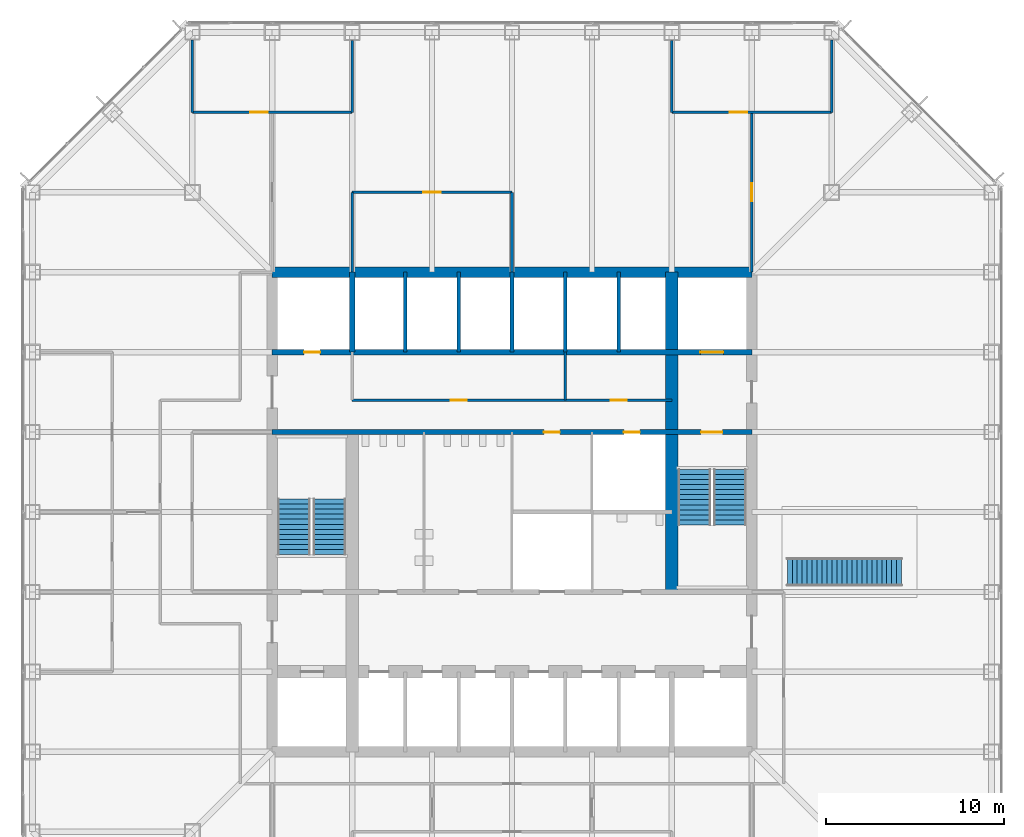
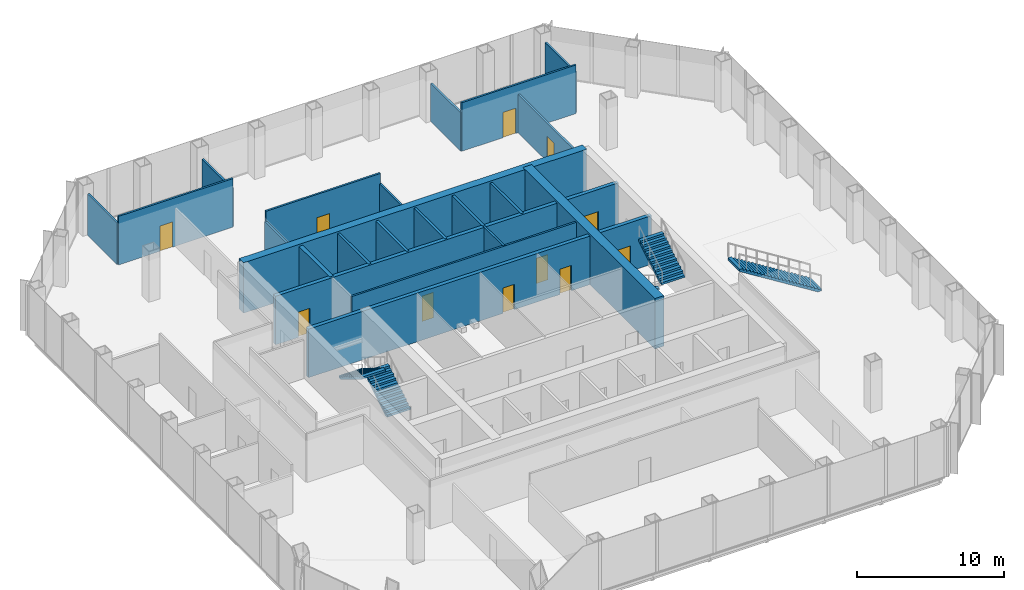
# One storey, part 10 of 12: 22 walls, 11 doors, 5 stair flights, 11 openings, 3 elements without a shape of their own.
"""IFC4 building model written with IfcOpenShell, lengths in metres."""

from ifc_helpers import new_model, si_unit, direction, frame, frame_2d, origin, place, context, subcontext, project, spatial, polyline, rectangle, outline, extrude, material, layer, layer_set, type_object, element, fill, aggregate, save


model = new_model("IFC4")

# Units and contexts
model_context = context("Model", 3, precision=1e-05, world=origin(), true_north=direction((0.0, 1.0)))
body_context = subcontext(model_context, "Body", "Model", "MODEL_VIEW")
ifc_project = project(units=[si_unit("LENGTHUNIT", "METRE"), si_unit("AREAUNIT", "SQUARE_METRE"), si_unit("VOLUMEUNIT", "CUBIC_METRE"), si_unit("PLANEANGLEUNIT", "RADIAN"), si_unit("MASSUNIT", "GRAM", prefix="KILO")], contexts=[model_context])

# Site, building, storey
site_placement = place(None, origin())
site = spatial("IfcSite", under=ifc_project, at=site_placement, CompositionType="ELEMENT")
building_placement = place(site_placement, origin())
building = spatial("IfcBuilding", under=site, at=building_placement, Name="Corais Broadcast Tower", CompositionType="ELEMENT")
storey_placement = place(building_placement, frame((0.0, 0.0, 29.0)))
storey = spatial("IfcBuildingStorey", under=building, at=storey_placement, Name="L05", CompositionType="ELEMENT", Elevation=29.0)

# Wall
ifc_material_1 = material(Name="Concrete blockwork class A, grouted, two-hour", Category="masonry")
ifc_layer_1 = layer(ifc_material_1, 0.300048828125)
ifc_layer_set_1 = layer_set([ifc_layer_1], Name="Concrete blockwork class A, grouted, two-hour")
wall_type_1 = type_object("IfcWallType", Name="Core lobby wall 300", PredefinedType="SOLIDWALL", material=ifc_layer_set_1)
wall_1_placement = place(storey_placement, frame((18.0, 36.0, 0.0), z_axis=(0.0, 0.0, 1.0), x_axis=(0.0, 1.0, 0.0)))
element("IfcWall", 1, at=wall_1_placement, inside=storey, type_object=wall_type_1, Name="CL1 core shaft wall X18B L05", PredefinedType="SOLIDWALL", context=body_context, shape_type="SweptSolid", body=[
    extrude(rectangle(XDim=4.5, YDim=0.300048828125, at=frame_2d((2.25, 0.0))), origin(), (0.0, 0.0, 1.0), 4.0400390625),
])

# Wall, openings, doors
wall_2_placement = place(storey_placement, frame((13.5, 31.5, 0.0), z_axis=(0.0, 0.0, 1.0), x_axis=(1.0, 0.0, 0.0)))
wall_2 = element("IfcWall", 2, at=wall_2_placement, inside=storey, type_object=wall_type_1, Name="CL1 core lobby wall Y315 L05", PredefinedType="SOLIDWALL", context=body_context, shape_type="SweptSolid", body=[
    extrude(rectangle(XDim=27.0, YDim=0.300048828125, at=frame_2d((13.5, 0.0))), origin(), (0.0, 0.0, 1.0), 4.0400390625),
])
opening_1_placement = place(wall_2_placement, frame((24.14990234375, 0.0, 0.0)))
opening_1 = element("IfcOpeningElement", 3, at=opening_1_placement, cuts=wall_2, Name="Opening FD1", PredefinedType="OPENING", context=body_context, shape_type="SweptSolid", body=[
    extrude(rectangle(XDim=1.199951171875, YDim=2.10009765625, at=frame_2d((0.60009765625, 1.050048828125))), frame((0.0, 0.159912109375, 0.0), z_axis=(0.0, -1.0, 0.0), x_axis=(1.0, 0.0, 0.0)), (0.0, 0.0, 1.0), 0.320068359375),
])
opening_2_placement = place(wall_2_placement, frame((15.300048828125, 0.0, 0.0)))
opening_2 = element("IfcOpeningElement", 4, at=opening_2_placement, cuts=wall_2, Name="Opening RD1", PredefinedType="OPENING", context=body_context, shape_type="SweptSolid", body=[
    extrude(rectangle(XDim=0.89990234375, YDim=2.10009765625, at=frame_2d((0.449951171875, 1.050048828125))), frame((0.0, 0.159912109375, 0.0), z_axis=(0.0, -1.0, 0.0), x_axis=(1.0, 0.0, 0.0)), (0.0, 0.0, 1.0), 0.320068359375),
])
opening_3_placement = place(wall_2_placement, frame((19.800048828125, 0.0, 0.0)))
opening_3 = element("IfcOpeningElement", 5, at=opening_3_placement, cuts=wall_2, Name="Opening RD1", PredefinedType="OPENING", context=body_context, shape_type="SweptSolid", body=[
    extrude(rectangle(XDim=0.89990234375, YDim=2.10009765625, at=frame_2d((0.449951171875, 1.050048828125))), frame((0.0, 0.159912109375, 0.0), z_axis=(0.0, -1.0, 0.0), x_axis=(1.0, 0.0, 0.0)), (0.0, 0.0, 1.0), 0.320068359375),
])
ifc_material_2 = material(Name="Steel fire door", Category="steel")
door_type_1 = type_object("IfcDoorType", Name="Fire door 1200x2100", OperationType="SINGLE_SWING_LEFT", PredefinedType="DOOR", material=ifc_material_2)
door_1_placement = place(opening_1_placement, origin())
door_1 = element("IfcDoor", 6, at=door_1_placement, inside=storey, type_object=door_type_1, Name="FD1 stair B door L05", OperationType="SINGLE_SWING_RIGHT", OverallHeight=2.10009765625, OverallWidth=1.199951171875, PredefinedType="DOOR", context=body_context, shape_type="SweptSolid", body=[
    extrude(rectangle(XDim=1.199951171875, YDim=2.10009765625, at=frame_2d((0.60009765625, 1.050048828125))), frame((0.0, 0.02490234375, 0.0), z_axis=(0.0, -1.0, 0.0), x_axis=(1.0, 0.0, 0.0)), (0.0, 0.0, 1.0), 0.050048828125),
])
fill(opening_1, door_1)
ifc_material_3 = material(Name="Steel fire door", Category="steel")
door_type_2 = type_object("IfcDoorType", Name="Riser door 900x2100", OperationType="SINGLE_SWING_LEFT", PredefinedType="DOOR", material=ifc_material_3)
door_2_placement = place(opening_2_placement, origin())
door_2 = element("IfcDoor", 7, at=door_2_placement, inside=storey, type_object=door_type_2, Name="RD1 cleaner's store door L05", OperationType="SINGLE_SWING_RIGHT", OverallHeight=2.10009765625, OverallWidth=0.89990234375, PredefinedType="DOOR", context=body_context, shape_type="SweptSolid", body=[
    extrude(rectangle(XDim=0.89990234375, YDim=2.10009765625, at=frame_2d((0.449951171875, 1.050048828125))), frame((0.0, 0.02490234375, 0.0), z_axis=(0.0, -1.0, 0.0), x_axis=(1.0, 0.0, 0.0)), (0.0, 0.0, 1.0), 0.050048828125),
])
fill(opening_2, door_2)
door_3_placement = place(opening_3_placement, origin())
door_3 = element("IfcDoor", 8, at=door_3_placement, inside=storey, type_object=door_type_2, Name="RD1 riser door L05", OperationType="SINGLE_SWING_RIGHT", OverallHeight=2.10009765625, OverallWidth=0.89990234375, PredefinedType="DOOR", context=body_context, shape_type="SweptSolid", body=[
    extrude(rectangle(XDim=0.89990234375, YDim=2.10009765625, at=frame_2d((0.449951171875, 1.050048828125))), frame((0.0, 0.02490234375, 0.0), z_axis=(0.0, -1.0, 0.0), x_axis=(1.0, 0.0, 0.0)), (0.0, 0.0, 1.0), 0.050048828125),
])
fill(opening_3, door_3)

# Walls
ifc_material_4 = material(Name="Concrete C50/60", Category="concrete")
ifc_layer_2 = layer(ifc_material_4, 0.699951171875)
ifc_layer_set_2 = layer_set([ifc_layer_2], Name="Concrete C50/60")
wall_type_2 = type_object("IfcWallType", Name="Core spine wall 700", PredefinedType="SHEAR", material=ifc_layer_set_2)
wall_3_placement = place(storey_placement, frame((36.0, 22.5, 0.0), z_axis=(0.0, 0.0, 1.0), x_axis=(0.0, 1.0, 0.0)))
element("IfcWall", 9, at=wall_3_placement, inside=storey, type_object=wall_type_2, Name="CR700 core wall X36B L05", PredefinedType="SHEAR", context=body_context, shape_type="SweptSolid", body=[
    extrude(rectangle(XDim=18.0, YDim=0.699951171875, at=frame_2d((9.0, 0.0))), origin(), (0.0, 0.0, 1.0), 4.199951171875),
])
ifc_material_5 = material(Name="Concrete C50/60", Category="concrete")
ifc_layer_3 = layer(ifc_material_5, 0.60009765625)
ifc_layer_set_3 = layer_set([ifc_layer_3], Name="Concrete C50/60")
wall_type_3 = type_object("IfcWallType", Name="Core wall 600", PredefinedType="SHEAR", material=ifc_layer_set_3)
wall_4_placement = place(storey_placement, frame((40.5, 40.5, 0.0), z_axis=(0.0, 0.0, 1.0), x_axis=(-1.0, 0.0, 0.0)))
element("IfcWall", 10, at=wall_4_placement, inside=storey, type_object=wall_type_3, Name="CR600 core wall N L05", PredefinedType="SHEAR", context=body_context, shape_type="SweptSolid", body=[
    extrude(rectangle(XDim=27.0, YDim=0.60009765625, at=frame_2d((13.5, 0.0))), origin(), (0.0, 0.0, 1.0), 4.199951171875),
])

# Wall, openings, doors
ifc_material_6 = material(Name="Concrete blockwork class A, grouted, four-hour", Category="masonry")
ifc_layer_4 = layer(ifc_material_6, 0.300048828125)
ifc_layer_set_4 = layer_set([ifc_layer_4], Name="Concrete blockwork class A, grouted, four-hour")
wall_type_4 = type_object("IfcWallType", Name="Emergency lift shaft wall 300", PredefinedType="SOLIDWALL", material=ifc_layer_set_4)
wall_5_placement = place(storey_placement, frame((13.5, 36.0, 0.0), z_axis=(0.0, 0.0, 1.0), x_axis=(1.0, 0.0, 0.0)))
wall_5 = element("IfcWall", 11, at=wall_5_placement, inside=storey, type_object=wall_type_4, Name="LS1 core lobby wall Y36 L05", PredefinedType="SOLIDWALL", context=body_context, shape_type="SweptSolid", body=[
    extrude(rectangle(XDim=27.0, YDim=0.300048828125, at=frame_2d((13.5, 0.0))), origin(), (0.0, 0.0, 1.0), 4.0400390625),
])
opening_4_placement = place(wall_5_placement, frame((1.800048828125, 0.0, 0.0)))
opening_4 = element("IfcOpeningElement", 12, at=opening_4_placement, cuts=wall_5, Name="Opening RD1", PredefinedType="OPENING", context=body_context, shape_type="SweptSolid", body=[
    extrude(rectangle(XDim=0.89990234375, YDim=2.10009765625, at=frame_2d((0.449951171875, 1.050048828125))), frame((0.0, 0.159912109375, 0.0), z_axis=(0.0, -1.0, 0.0), x_axis=(1.0, 0.0, 0.0)), (0.0, 0.0, 1.0), 0.320068359375),
])
opening_5_placement = place(wall_5_placement, frame((24.10009765625, 0.0, 0.0)))
opening_5 = element("IfcOpeningElement", 13, at=opening_5_placement, cuts=wall_5, Name="Opening LD2", PredefinedType="OPENING", context=body_context, shape_type="SweptSolid", body=[
    extrude(rectangle(XDim=1.300048828125, YDim=2.199951171875, at=frame_2d((0.64990234375, 1.10009765625))), frame((0.0, 0.159912109375, 0.0), z_axis=(0.0, -1.0, 0.0), x_axis=(1.0, 0.0, 0.0)), (0.0, 0.0, 1.0), 0.320068359375),
])
ifc_material_7 = material(Name="Stainless steel lift door", Category="steel")
door_type_3 = type_object("IfcDoorType", Name="Lift landing door 1300x2200", OperationType="SLIDING_TO_LEFT", PredefinedType="DOOR", material=ifc_material_7)
door_4_placement = place(opening_5_placement, origin())
door_4 = element("IfcDoor", 14, at=door_4_placement, inside=storey, type_object=door_type_3, Name="LD2 FL2 landing door L05", OperationType="SLIDING_TO_LEFT", OverallHeight=2.199951171875, OverallWidth=1.300048828125, PredefinedType="DOOR", context=body_context, shape_type="SweptSolid", body=[
    extrude(rectangle(XDim=1.300048828125, YDim=2.199951171875, at=frame_2d((0.64990234375, 1.10009765625))), frame((0.0, 0.02490234375, 0.0), z_axis=(0.0, -1.0, 0.0), x_axis=(1.0, 0.0, 0.0)), (0.0, 0.0, 1.0), 0.050048828125),
])
fill(opening_5, door_4)
door_5_placement = place(opening_4_placement, origin())
door_5 = element("IfcDoor", 15, at=door_5_placement, inside=storey, type_object=door_type_2, Name="RD1 riser door L05", OperationType="SINGLE_SWING_LEFT", OverallHeight=2.10009765625, OverallWidth=0.89990234375, PredefinedType="DOOR", context=body_context, shape_type="SweptSolid", body=[
    extrude(rectangle(XDim=0.89990234375, YDim=2.10009765625, at=frame_2d((0.449951171875, 1.050048828125))), frame((0.0, 0.02490234375, 0.0), z_axis=(0.0, -1.0, 0.0), x_axis=(1.0, 0.0, 0.0)), (0.0, 0.0, 1.0), 0.050048828125),
])
fill(opening_4, door_5)

ifc_material_8 = material(Name="Two layers of fire-rated gypsum board each side on steel studs", Category="steel")
ifc_layer_5 = layer(ifc_material_8, 0.14990234375)
ifc_layer_set_5 = layer_set([ifc_layer_5], Name="Two layers of fire-rated gypsum board each side on steel studs")
wall_type_5 = type_object("IfcWallType", Name="Fire-rated partition 150 EI 60", PredefinedType="PARTITIONING", material=ifc_layer_set_5)
wall_6_placement = place(storey_placement, frame((18.0, 33.300048828125, 0.0), z_axis=(0.0, 0.0, 1.0), x_axis=(1.0, 0.0, 0.0)))
wall_6 = element("IfcWall", 16, at=wall_6_placement, inside=storey, type_object=wall_type_5, Name="IW7 partition L05", PredefinedType="PARTITIONING", context=body_context, shape_type="SweptSolid", body=[
    extrude(rectangle(XDim=18.0, YDim=0.14990234375, at=frame_2d((9.0, 0.0))), origin(), (0.0, 0.0, 1.0), 4.0400390625),
])
opening_6_placement = place(wall_6_placement, frame((5.550048828125, 0.0, 0.0)))
opening_6 = element("IfcOpeningElement", 17, at=opening_6_placement, cuts=wall_6, Name="Opening RD1", PredefinedType="OPENING", context=body_context, shape_type="SweptSolid", body=[
    extrude(rectangle(XDim=0.89990234375, YDim=2.10009765625, at=frame_2d((0.449951171875, 1.050048828125))), frame((0.0, 0.0849609375, 0.0), z_axis=(0.0, -1.0, 0.0), x_axis=(1.0, 0.0, 0.0)), (0.0, 0.0, 1.0), 0.169921875),
])
opening_7_placement = place(wall_6_placement, frame((14.550048828125, 0.0, 0.0)))
opening_7 = element("IfcOpeningElement", 18, at=opening_7_placement, cuts=wall_6, Name="Opening RD1", PredefinedType="OPENING", context=body_context, shape_type="SweptSolid", body=[
    extrude(rectangle(XDim=0.89990234375, YDim=2.10009765625, at=frame_2d((0.449951171875, 1.050048828125))), frame((0.0, 0.0849609375, 0.0), z_axis=(0.0, -1.0, 0.0), x_axis=(1.0, 0.0, 0.0)), (0.0, 0.0, 1.0), 0.169921875),
])
door_6_placement = place(opening_6_placement, origin())
door_6 = element("IfcDoor", 19, at=door_6_placement, inside=storey, type_object=door_type_2, Name="RD1 locker room door L05", OperationType="SINGLE_SWING_LEFT", OverallHeight=2.10009765625, OverallWidth=0.89990234375, PredefinedType="DOOR", context=body_context, shape_type="SweptSolid", body=[
    extrude(rectangle(XDim=0.89990234375, YDim=2.10009765625, at=frame_2d((0.449951171875, 1.050048828125))), frame((0.0, 0.02490234375, 0.0), z_axis=(0.0, -1.0, 0.0), x_axis=(1.0, 0.0, 0.0)), (0.0, 0.0, 1.0), 0.050048828125),
])
fill(opening_6, door_6)
door_7_placement = place(opening_7_placement, origin())
door_7 = element("IfcDoor", 20, at=door_7_placement, inside=storey, type_object=door_type_2, Name="RD1 it equipment room door L05", OperationType="SINGLE_SWING_RIGHT", OverallHeight=2.10009765625, OverallWidth=0.89990234375, PredefinedType="DOOR", context=body_context, shape_type="SweptSolid", body=[
    extrude(rectangle(XDim=0.89990234375, YDim=2.10009765625, at=frame_2d((0.449951171875, 1.050048828125))), frame((0.0, 0.02490234375, 0.0), z_axis=(0.0, -1.0, 0.0), x_axis=(1.0, 0.0, 0.0)), (0.0, 0.0, 1.0), 0.050048828125),
])
fill(opening_7, door_7)

# Walls
wall_7_placement = place(storey_placement, frame((30.0, 33.300048828125, 0.0), z_axis=(0.0, 0.0, 1.0), x_axis=(0.0, 1.0, 0.0)))
element("IfcWall", 21, at=wall_7_placement, inside=storey, type_object=wall_type_5, Name="IW7 partition L05", PredefinedType="PARTITIONING", context=body_context, shape_type="SweptSolid", body=[
    extrude(rectangle(XDim=2.699951171875, YDim=0.14990234375, at=frame_2d((1.35009765625, 0.0))), origin(), (0.0, 0.0, 1.0), 4.0400390625),
])
ifc_material_9 = material(Name="Gypsum board on steel studs", Category="steel")
ifc_layer_6 = layer(ifc_material_9, 0.14990234375)
ifc_layer_set_6 = layer_set([ifc_layer_6], Name="Gypsum board on steel studs")
wall_type_6 = type_object("IfcWallType", Name="Partition 150", PredefinedType="PARTITIONING", material=ifc_layer_set_6)
wall_8_placement = place(storey_placement, frame((27.0, 40.5, 0.0), z_axis=(0.0, 0.0, 1.0), x_axis=(0.0, 1.0, 0.0)))
element("IfcWall", 22, at=wall_8_placement, inside=storey, type_object=wall_type_6, Name="IW3 partition L05", PredefinedType="PARTITIONING", context=body_context, shape_type="SweptSolid", body=[
    extrude(rectangle(XDim=4.5, YDim=0.14990234375, at=frame_2d((2.25, 0.0))), origin(), (0.0, 0.0, 1.0), 3.18896484375),
])

# Wall, opening, door
wall_9_placement = place(storey_placement, frame((27.0, 45.0, 0.0), z_axis=(0.0, 0.0, 1.0), x_axis=(-1.0, 0.0, 0.0)))
wall_9 = element("IfcWall", 23, at=wall_9_placement, inside=storey, type_object=wall_type_6, Name="IW3 partition L05", PredefinedType="PARTITIONING", context=body_context, shape_type="SweptSolid", body=[
    extrude(rectangle(XDim=9.0, YDim=0.14990234375, at=frame_2d((4.5, 0.0))), origin(), (0.0, 0.0, 1.0), 4.0400390625),
])
opening_8_placement = place(wall_9_placement, frame((4.0, 0.0, 0.0)))
opening_8 = element("IfcOpeningElement", 24, at=opening_8_placement, cuts=wall_9, Name="Opening D1", PredefinedType="OPENING", context=body_context, shape_type="SweptSolid", body=[
    extrude(rectangle(XDim=1.0, YDim=2.10009765625, at=frame_2d((0.5, 1.050048828125))), frame((0.0, 0.0849609375, 0.0), z_axis=(0.0, -1.0, 0.0), x_axis=(1.0, 0.0, 0.0)), (0.0, 0.0, 1.0), 0.169921875),
])
ifc_material_10 = material(Name="Timber door", Category="wood")
door_type_4 = type_object("IfcDoorType", Name="Single door 1000x2100", OperationType="SINGLE_SWING_LEFT", PredefinedType="DOOR", material=ifc_material_10)
door_8_placement = place(opening_8_placement, origin())
door_8 = element("IfcDoor", 25, at=door_8_placement, inside=storey, type_object=door_type_4, Name="D1 Editors room door", OperationType="SINGLE_SWING_LEFT", OverallHeight=2.10009765625, OverallWidth=1.0, PredefinedType="DOOR", context=body_context, shape_type="SweptSolid", body=[
    extrude(rectangle(XDim=1.0, YDim=2.10009765625, at=frame_2d((0.5, 1.050048828125))), frame((0.0, 0.02490234375, 0.0), z_axis=(0.0, -1.0, 0.0), x_axis=(1.0, 0.0, 0.0)), (0.0, 0.0, 1.0), 0.050048828125),
])
fill(opening_8, door_8)

# Wall
wall_10_placement = place(storey_placement, frame((18.0, 45.0, 0.0), z_axis=(0.0, 0.0, 1.0), x_axis=(0.0, -1.0, 0.0)))
element("IfcWall", 26, at=wall_10_placement, inside=storey, type_object=wall_type_6, Name="IW3 partition L05", PredefinedType="PARTITIONING", context=body_context, shape_type="SweptSolid", body=[
    extrude(rectangle(XDim=4.5, YDim=0.14990234375, at=frame_2d((2.25, 0.0))), origin(), (0.0, 0.0, 1.0), 3.18896484375),
])

# Wall, opening, door
wall_11_placement = place(storey_placement, frame((9.0, 49.5, 0.0), z_axis=(0.0, 0.0, 1.0), x_axis=(1.0, 0.0, 0.0)))
wall_11 = element("IfcWall", 27, at=wall_11_placement, inside=storey, type_object=wall_type_6, Name="IW3 partition L05", PredefinedType="PARTITIONING", context=body_context, shape_type="SweptSolid", body=[
    extrude(rectangle(XDim=9.0, YDim=0.14990234375, at=frame_2d((4.5, 0.0))), origin(), (0.0, 0.0, 1.0), 4.0400390625),
])
opening_9_placement = place(wall_11_placement, frame((3.25, 0.0, 0.0)))
opening_9 = element("IfcOpeningElement", 28, at=opening_9_placement, cuts=wall_11, Name="Opening D1", PredefinedType="OPENING", context=body_context, shape_type="SweptSolid", body=[
    extrude(rectangle(XDim=1.0, YDim=2.10009765625, at=frame_2d((0.5, 1.050048828125))), frame((0.0, 0.0849609375, 0.0), z_axis=(0.0, -1.0, 0.0), x_axis=(1.0, 0.0, 0.0)), (0.0, 0.0, 1.0), 0.169921875),
])
door_9_placement = place(opening_9_placement, origin())
door_9 = element("IfcDoor", 29, at=door_9_placement, inside=storey, type_object=door_type_4, Name="D1 Producer office door", OperationType="SINGLE_SWING_LEFT", OverallHeight=2.10009765625, OverallWidth=1.0, PredefinedType="DOOR", context=body_context, shape_type="SweptSolid", body=[
    extrude(rectangle(XDim=1.0, YDim=2.10009765625, at=frame_2d((0.5, 1.050048828125))), frame((0.0, 0.02490234375, 0.0), z_axis=(0.0, -1.0, 0.0), x_axis=(1.0, 0.0, 0.0)), (0.0, 0.0, 1.0), 0.050048828125),
])
fill(opening_9, door_9)

# Walls
wall_12_placement = place(storey_placement, frame((18.0, 49.5, 0.0), z_axis=(0.0, 0.0, 1.0), x_axis=(0.0, 1.0, 0.0)))
element("IfcWall", 30, at=wall_12_placement, inside=storey, type_object=wall_type_6, Name="IW3 partition L05", PredefinedType="PARTITIONING", context=body_context, shape_type="SweptSolid", body=[
    extrude(rectangle(XDim=4.0400390625, YDim=0.14990234375, at=frame_2d((2.02001953125, 0.0))), origin(), (0.0, 0.0, 1.0), 3.18896484375),
])
wall_13_placement = place(storey_placement, frame((9.0, 53.56494140625, 0.0), z_axis=(0.0, 0.0, 1.0), x_axis=(0.0, -1.0, 0.0)))
element("IfcWall", 31, at=wall_13_placement, inside=storey, type_object=wall_type_6, Name="IW3 partition L05", PredefinedType="PARTITIONING", context=body_context, shape_type="SweptSolid", body=[
    extrude(rectangle(XDim=4.06494140625, YDim=0.14990234375, at=frame_2d((2.032470703125, 0.0))), origin(), (0.0, 0.0, 1.0), 3.428955078125),
])

# Wall, opening, door
wall_14_placement = place(storey_placement, frame((36.0, 49.5, 0.0), z_axis=(0.0, 0.0, 1.0), x_axis=(1.0, 0.0, 0.0)))
wall_14 = element("IfcWall", 32, at=wall_14_placement, inside=storey, type_object=wall_type_6, Name="IW3 partition L05", PredefinedType="PARTITIONING", context=body_context, shape_type="SweptSolid", body=[
    extrude(rectangle(XDim=9.0, YDim=0.14990234375, at=frame_2d((4.5, 0.0))), origin(), (0.0, 0.0, 1.0), 4.0400390625),
])
opening_10_placement = place(wall_14_placement, frame((3.25, 0.0, 0.0)))
opening_10 = element("IfcOpeningElement", 33, at=opening_10_placement, cuts=wall_14, Name="Opening D1", PredefinedType="OPENING", context=body_context, shape_type="SweptSolid", body=[
    extrude(rectangle(XDim=1.0, YDim=2.10009765625, at=frame_2d((0.5, 1.050048828125))), frame((0.0, 0.0849609375, 0.0), z_axis=(0.0, -1.0, 0.0), x_axis=(1.0, 0.0, 0.0)), (0.0, 0.0, 1.0), 0.169921875),
])
door_10_placement = place(opening_10_placement, origin())
door_10 = element("IfcDoor", 34, at=door_10_placement, inside=storey, type_object=door_type_4, Name="D1 Producer office door", OperationType="SINGLE_SWING_LEFT", OverallHeight=2.10009765625, OverallWidth=1.0, PredefinedType="DOOR", context=body_context, shape_type="SweptSolid", body=[
    extrude(rectangle(XDim=1.0, YDim=2.10009765625, at=frame_2d((0.5, 1.050048828125))), frame((0.0, 0.02490234375, 0.0), z_axis=(0.0, -1.0, 0.0), x_axis=(1.0, 0.0, 0.0)), (0.0, 0.0, 1.0), 0.050048828125),
])
fill(opening_10, door_10)

# Walls
wall_15_placement = place(storey_placement, frame((45.0, 49.5, 0.0), z_axis=(0.0, 0.0, 1.0), x_axis=(0.0, 1.0, 0.0)))
element("IfcWall", 35, at=wall_15_placement, inside=storey, type_object=wall_type_6, Name="IW3 partition L05", PredefinedType="PARTITIONING", context=body_context, shape_type="SweptSolid", body=[
    extrude(rectangle(XDim=4.06494140625, YDim=0.14990234375, at=frame_2d((2.032470703125, 0.0))), origin(), (0.0, 0.0, 1.0), 3.428955078125),
])
wall_16_placement = place(storey_placement, frame((36.0, 53.5400390625, 0.0), z_axis=(0.0, 0.0, 1.0), x_axis=(0.0, -1.0, 0.0)))
element("IfcWall", 36, at=wall_16_placement, inside=storey, type_object=wall_type_6, Name="IW3 partition L05", PredefinedType="PARTITIONING", context=body_context, shape_type="SweptSolid", body=[
    extrude(rectangle(XDim=4.0400390625, YDim=0.14990234375, at=frame_2d((2.02001953125, 0.0))), origin(), (0.0, 0.0, 1.0), 3.18896484375),
])

# Wall, opening, door
wall_17_placement = place(storey_placement, frame((40.5, 49.5, 0.0), z_axis=(0.0, 0.0, 1.0), x_axis=(0.0, -1.0, 0.0)))
wall_17 = element("IfcWall", 37, at=wall_17_placement, inside=storey, type_object=wall_type_6, Name="IW3 partition L05", PredefinedType="PARTITIONING", context=body_context, shape_type="SweptSolid", body=[
    extrude(rectangle(XDim=9.0, YDim=0.14990234375, at=frame_2d((4.5, 0.0))), origin(), (0.0, 0.0, 1.0), 3.18896484375),
])
opening_11_placement = place(wall_17_placement, frame((4.0, 0.0, 0.0)))
opening_11 = element("IfcOpeningElement", 38, at=opening_11_placement, cuts=wall_17, Name="Opening D1", PredefinedType="OPENING", context=body_context, shape_type="SweptSolid", body=[
    extrude(rectangle(XDim=1.0, YDim=2.10009765625, at=frame_2d((0.5, 1.050048828125))), frame((0.0, 0.0849609375, 0.0), z_axis=(0.0, -1.0, 0.0), x_axis=(1.0, 0.0, 0.0)), (0.0, 0.0, 1.0), 0.169921875),
])
door_11_placement = place(opening_11_placement, origin())
door_11 = element("IfcDoor", 39, at=door_11_placement, inside=storey, type_object=door_type_4, Name="D1 team room door L05", OperationType="SINGLE_SWING_LEFT", OverallHeight=2.10009765625, OverallWidth=1.0, PredefinedType="DOOR", context=body_context, shape_type="SweptSolid", body=[
    extrude(rectangle(XDim=1.0, YDim=2.10009765625, at=frame_2d((0.5, 1.050048828125))), frame((0.0, 0.02490234375, 0.0), z_axis=(0.0, -1.0, 0.0), x_axis=(1.0, 0.0, 0.0)), (0.0, 0.0, 1.0), 0.050048828125),
])
fill(opening_11, door_11)

# Walls
ifc_material_11 = material(Name="Concrete blockwork class A, grouted, two-hour", Category="masonry")
ifc_layer_7 = layer(ifc_material_11, 0.199951171875)
ifc_layer_set_7 = layer_set([ifc_layer_7], Name="Concrete blockwork class A, grouted, two-hour")
wall_type_7 = type_object("IfcWallType", Name="Shaft wall 200", PredefinedType="PARTITIONING", material=ifc_layer_set_7)
for number, where, z_axis, x_axis, name in (
    (40, (21.0, 36.0, 0.0), (0.0, 0.0, 1.0), (0.0, 1.0, 0.0), "IW1 shaft wall L05"),
    (41, (24.0, 36.0, 0.0), (0.0, 0.0, 1.0), (0.0, 1.0, 0.0), "IW1 shaft wall L05"),
    (42, (27.0, 36.0, 0.0), (0.0, 0.0, 1.0), (0.0, 1.0, 0.0), "IW1 shaft wall L05"),
    (43, (30.0, 36.0, 0.0), (0.0, 0.0, 1.0), (0.0, 1.0, 0.0), "IW1 shaft wall L05"),
    (44, (33.0, 36.0, 0.0), (0.0, 0.0, 1.0), (0.0, 1.0, 0.0), "IW1 shaft wall L05"),
):
    element("IfcWall", number, at=place(storey_placement, frame(where, z_axis=z_axis, x_axis=x_axis)), inside=storey, type_object=wall_type_7, Name=name, PredefinedType="PARTITIONING", context=body_context, shape_type="SweptSolid", body=[
        extrude(rectangle(XDim=4.5, YDim=0.199951171875, at=frame_2d((2.25, 0.0))), origin(), (0.0, 0.0, 1.0), 4.0400390625),
    ])

# Stair, stair flight
ifc_material_12 = material(Name="Steel ASTM A572 Grade 50", Category="steel")
stair_type_1 = type_object("IfcStairType", Name="Feature stair", PredefinedType="STRAIGHT_RUN_STAIR", material=ifc_material_12)
stair_1_placement = place(storey_placement, origin())
stair_1 = element("IfcStair", 45, at=stair_1_placement, inside=storey, type_object=stair_type_1, Name="Feature stair L05", PredefinedType="STRAIGHT_RUN_STAIR")
ifc_material_13 = material(Name="Steel ASTM A572 Grade 50", Category="steel")
stair_flight_type_1 = type_object("IfcStairFlightType", Name="Feature stair flight", PredefinedType="STRAIGHT", material=ifc_material_13)
stair_flight_1_placement = place(storey_placement, frame((48.93994140625, 23.625, 0.0), z_axis=(0.0, 0.0, 1.0), x_axis=(-1.0, 0.0, 0.0)))
stair_flight_1 = element("IfcStairFlight", 46, at=stair_flight_1_placement, type_object=stair_flight_type_1, Name="FS1 flight 1", NumberOfRisers=24, NumberOfTreads=23, PredefinedType="STRAIGHT", RiserHeight=0.175, TreadLength=0.28, context=body_context, shape_type="SweptSolid", body=[
    extrude(outline(polyline([(0.0, 0.0), (0.0, 0.175048828125), (0.280029296875, 0.175048828125), (0.280029296875, 0.35009765625), (0.56005859375, 0.35009765625), (0.56005859375, 0.52490234375), (0.840087890625, 0.52490234375), (0.840087890625, 0.699951171875), (1.1201171875, 0.699951171875), (1.1201171875, 0.875), (1.39990234375, 0.875), (1.39990234375, 1.050048828125), (1.679931640625, 1.050048828125), (1.679931640625, 1.22509765625), (1.9599609375, 1.22509765625), (1.9599609375, 1.39990234375), (2.239990234375, 1.39990234375), (2.239990234375, 1.574951171875), (2.52001953125, 1.574951171875), (2.52001953125, 1.75), (2.800048828125, 1.75), (2.800048828125, 1.925048828125), (3.080078125, 1.925048828125), (3.080078125, 2.10009765625), (3.360107421875, 2.10009765625), (3.360107421875, 2.27490234375), (3.639892578125, 2.27490234375), (3.639892578125, 2.449951171875), (3.919921875, 2.449951171875), (3.919921875, 2.625), (4.199951171875, 2.625), (4.199951171875, 2.800048828125), (4.47998046875, 2.800048828125), (4.47998046875, 2.97509765625), (4.760009765625, 2.97509765625), (4.760009765625, 3.14990234375), (5.0400390625, 3.14990234375), (5.0400390625, 3.324951171875), (5.320068359375, 3.324951171875), (5.320068359375, 3.5), (5.60009765625, 3.5), (5.60009765625, 3.675048828125), (5.8798828125, 3.675048828125), (5.8798828125, 3.85009765625), (6.159912109375, 3.85009765625), (6.159912109375, 4.02490234375), (6.43994140625, 4.02490234375), (6.43994140625, 4.199951171875), (6.43994140625, 3.84814453125), (0.28271484375, 0.0), (0.0, 0.0)])), frame((0.0, 0.800048828125, 0.0), z_axis=(0.0, -1.0, 0.0), x_axis=(1.0, 0.0, 0.0)), (0.0, 0.0, 1.0), 1.60009765625),
])
aggregate(stair_1, [stair_flight_1])

# Stair, stair flights
ifc_material_14 = material(Name="Concrete C30/37", Category="concrete")
stair_type_2 = type_object("IfcStairType", Name="Half-turn stair 4200", PredefinedType="HALF_TURN_STAIR", material=ifc_material_14)
stair_2_placement = place(storey_placement, origin())
stair_2 = element("IfcStair", 47, at=stair_2_placement, inside=storey, type_object=stair_type_2, Name="Stair A L05", PredefinedType="HALF_TURN_STAIR")
ifc_material_15 = material(Name="Concrete C30/37", Category="concrete")
stair_flight_type_2 = type_object("IfcStairFlightType", Name="Stair flight 4200", PredefinedType="STRAIGHT", material=ifc_material_15)
stair_flight_2_placement = place(storey_placement, frame((16.72509765625, 24.60009765625, 0.0), z_axis=(0.0, 0.0, 1.0), x_axis=(0.0, 1.0, 0.0)))
stair_flight_2 = element("IfcStairFlight", 48, at=stair_flight_2_placement, type_object=stair_flight_type_2, Name="STA flight 1", NumberOfRisers=12, NumberOfTreads=11, PredefinedType="STRAIGHT", RiserHeight=0.175, TreadLength=0.285, context=body_context, shape_type="SweptSolid", body=[
    extrude(outline(polyline([(0.0, 0.0), (0.0, 0.175048828125), (0.284912109375, 0.175048828125), (0.284912109375, 0.35009765625), (0.570068359375, 0.35009765625), (0.570068359375, 0.52490234375), (0.85498046875, 0.52490234375), (0.85498046875, 0.699951171875), (1.139892578125, 0.699951171875), (1.139892578125, 0.875), (1.425048828125, 0.875), (1.425048828125, 1.050048828125), (1.7099609375, 1.050048828125), (1.7099609375, 1.22509765625), (1.9951171875, 1.22509765625), (1.9951171875, 1.39990234375), (2.280029296875, 1.39990234375), (2.280029296875, 1.574951171875), (2.56494140625, 1.574951171875), (2.56494140625, 1.75), (2.85009765625, 1.75), (2.85009765625, 1.925048828125), (3.135009765625, 1.925048828125), (3.135009765625, 2.10009765625), (3.135009765625, 1.7490234375), (0.286376953125, 0.0), (0.0, 0.0)])), frame((0.0, 0.925048828125, 0.0), z_axis=(0.0, -1.0, 0.0), x_axis=(1.0, 0.0, 0.0)), (0.0, 0.0, 1.0), 1.85009765625),
])
stair_flight_3_placement = place(storey_placement, frame((14.72509765625, 27.735107421875, 2.10009765625), z_axis=(0.0, 0.0, 1.0), x_axis=(0.0, -1.0, 0.0)))
stair_flight_3 = element("IfcStairFlight", 49, at=stair_flight_3_placement, type_object=stair_flight_type_2, Name="STA flight 2", NumberOfRisers=12, NumberOfTreads=11, PredefinedType="STRAIGHT", RiserHeight=0.175, TreadLength=0.285, context=body_context, shape_type="SweptSolid", body=[
    extrude(outline(polyline([(0.0, 0.0), (0.0, 0.175048828125), (0.284912109375, 0.175048828125), (0.284912109375, 0.35009765625), (0.570068359375, 0.35009765625), (0.570068359375, 0.52490234375), (0.85498046875, 0.52490234375), (0.85498046875, 0.699951171875), (1.139892578125, 0.699951171875), (1.139892578125, 0.875), (1.425048828125, 0.875), (1.425048828125, 1.050048828125), (1.7099609375, 1.050048828125), (1.7099609375, 1.22509765625), (1.9951171875, 1.22509765625), (1.9951171875, 1.39990234375), (2.280029296875, 1.39990234375), (2.280029296875, 1.574951171875), (2.56494140625, 1.574951171875), (2.56494140625, 1.75), (2.85009765625, 1.75), (2.85009765625, 1.925048828125), (3.135009765625, 1.925048828125), (3.135009765625, 2.10009765625), (3.135009765625, 1.7490234375), (0.286376953125, 0.0), (0.0, 0.0)])), frame((0.0, 0.925048828125, 0.0), z_axis=(0.0, -1.0, 0.0), x_axis=(1.0, 0.0, 0.0)), (0.0, 0.0, 1.0), 1.85009765625),
])
aggregate(stair_2, [stair_flight_2, stair_flight_3])

stair_3_placement = place(storey_placement, origin())
stair_3 = element("IfcStair", 50, at=stair_3_placement, inside=storey, type_object=stair_type_2, Name="Stair B L05", PredefinedType="HALF_TURN_STAIR")
stair_flight_4_placement = place(storey_placement, frame((37.27490234375, 29.39990234375, 0.0), z_axis=(0.0, 0.0, 1.0), x_axis=(0.0, -1.0, 0.0)))
stair_flight_4 = element("IfcStairFlight", 51, at=stair_flight_4_placement, type_object=stair_flight_type_2, Name="STB flight 1", NumberOfRisers=12, NumberOfTreads=11, PredefinedType="STRAIGHT", RiserHeight=0.175, TreadLength=0.285, context=body_context, shape_type="SweptSolid", body=[
    extrude(outline(polyline([(0.0, 0.0), (0.0, 0.175048828125), (0.284912109375, 0.175048828125), (0.284912109375, 0.35009765625), (0.570068359375, 0.35009765625), (0.570068359375, 0.52490234375), (0.85498046875, 0.52490234375), (0.85498046875, 0.699951171875), (1.139892578125, 0.699951171875), (1.139892578125, 0.875), (1.425048828125, 0.875), (1.425048828125, 1.050048828125), (1.7099609375, 1.050048828125), (1.7099609375, 1.22509765625), (1.9951171875, 1.22509765625), (1.9951171875, 1.39990234375), (2.280029296875, 1.39990234375), (2.280029296875, 1.574951171875), (2.56494140625, 1.574951171875), (2.56494140625, 1.75), (2.85009765625, 1.75), (2.85009765625, 1.925048828125), (3.135009765625, 1.925048828125), (3.135009765625, 2.10009765625), (3.135009765625, 1.7490234375), (0.286376953125, 0.0), (0.0, 0.0)])), frame((0.0, 0.925048828125, 0.0), z_axis=(0.0, -1.0, 0.0), x_axis=(1.0, 0.0, 0.0)), (0.0, 0.0, 1.0), 1.85009765625),
])
stair_flight_5_placement = place(storey_placement, frame((39.27490234375, 26.264892578125, 2.10009765625), z_axis=(0.0, 0.0, 1.0), x_axis=(0.0, 1.0, 0.0)))
stair_flight_5 = element("IfcStairFlight", 52, at=stair_flight_5_placement, type_object=stair_flight_type_2, Name="STB flight 2", NumberOfRisers=12, NumberOfTreads=11, PredefinedType="STRAIGHT", RiserHeight=0.175, TreadLength=0.285, context=body_context, shape_type="SweptSolid", body=[
    extrude(outline(polyline([(0.0, 0.0), (0.0, 0.175048828125), (0.284912109375, 0.175048828125), (0.284912109375, 0.35009765625), (0.570068359375, 0.35009765625), (0.570068359375, 0.52490234375), (0.85498046875, 0.52490234375), (0.85498046875, 0.699951171875), (1.139892578125, 0.699951171875), (1.139892578125, 0.875), (1.425048828125, 0.875), (1.425048828125, 1.050048828125), (1.7099609375, 1.050048828125), (1.7099609375, 1.22509765625), (1.9951171875, 1.22509765625), (1.9951171875, 1.39990234375), (2.280029296875, 1.39990234375), (2.280029296875, 1.574951171875), (2.56494140625, 1.574951171875), (2.56494140625, 1.75), (2.85009765625, 1.75), (2.85009765625, 1.925048828125), (3.135009765625, 1.925048828125), (3.135009765625, 2.10009765625), (3.135009765625, 1.7490234375), (0.286376953125, 0.0), (0.0, 0.0)])), frame((0.0, 0.925048828125, 0.0), z_axis=(0.0, -1.0, 0.0), x_axis=(1.0, 0.0, 0.0)), (0.0, 0.0, 1.0), 1.85009765625),
])
aggregate(stair_3, [stair_flight_4, stair_flight_5])

save(model, "model.ifc")
